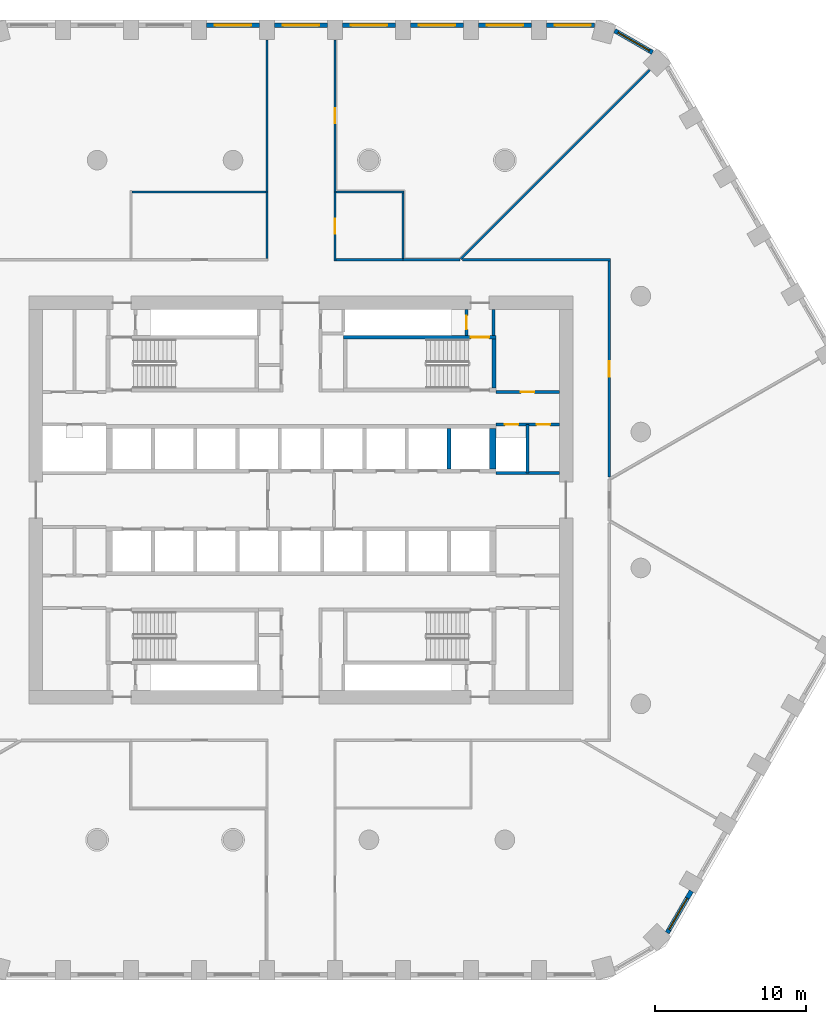
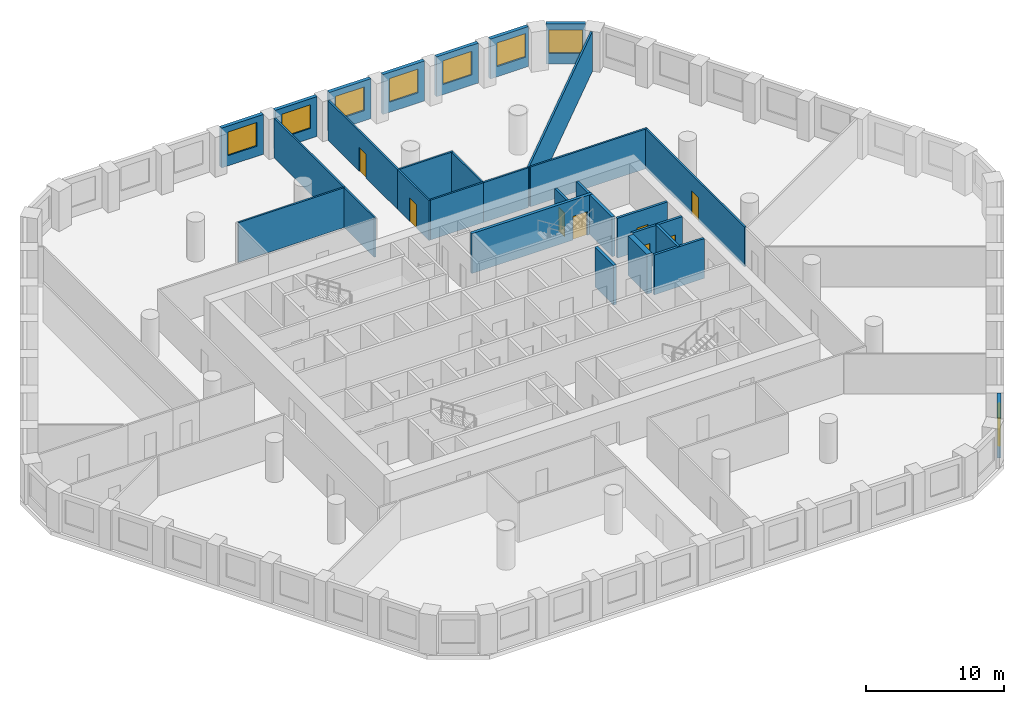
# One storey, part 7 of 14: 30 walls, 8 doors, 8 windows, 16 openings.
"""IFC4 building model written with IfcOpenShell, lengths in metres."""

from ifc_helpers import new_model, si_unit, direction, frame, frame_2d, origin, place, context, subcontext, project, spatial, polyline, rectangle, outline, extrude, material, layer, layer_set, type_object, element, fill, save


model = new_model("IFC4")

# Units and contexts
model_context = context("Model", 3, precision=1e-05, world=origin(), true_north=direction((0.0, 1.0)))
body_context = subcontext(model_context, "Body", "Model", "MODEL_VIEW")
ifc_project = project(units=[si_unit("LENGTHUNIT", "METRE"), si_unit("AREAUNIT", "SQUARE_METRE"), si_unit("VOLUMEUNIT", "CUBIC_METRE"), si_unit("PLANEANGLEUNIT", "RADIAN"), si_unit("MASSUNIT", "GRAM", prefix="KILO")], contexts=[model_context])

# Site, building, storey
site_placement = place(None, origin())
site = spatial("IfcSite", under=ifc_project, at=site_placement, CompositionType="ELEMENT")
building_placement = place(site_placement, origin())
building = spatial("IfcBuilding", under=site, at=building_placement, Name="Dhurran Vertical Campus", CompositionType="ELEMENT")
storey_placement = place(building_placement, frame((0.0, 0.0, 100.800048828125)))
storey = spatial("IfcBuildingStorey", under=building, at=storey_placement, Name="L24", CompositionType="ELEMENT", Elevation=100.800048828125)

# Wall, opening, window
ifc_material_1 = material(Name="Precast concrete C50/60", Category="concrete")
ifc_layer_1 = layer(ifc_material_1, 0.300048828125)
ifc_layer_set_1 = layer_set([ifc_layer_1], Name="Precast concrete C50/60")
wall_type_1 = type_object("IfcWallType", Name="Precast spandrel wall 300", PredefinedType="SOLIDWALL", material=ifc_layer_set_1)
wall_1_placement = place(storey_placement, frame((24.24755859375, -28.65576171875, 0.0), z_axis=(0.0, 0.0, 1.0), x_axis=(0.500004907028, 0.866022570692, 0.0)))
wall_1 = element("IfcWall", 1, at=wall_1_placement, inside=storey, type_object=wall_type_1, Name="EW1 L24.10", PredefinedType="SOLIDWALL", context=body_context, shape_type="SweptSolid", body=[
    extrude(rectangle(XDim=3.1923828125, YDim=0.300048828125, at=frame_2d((1.59619140625, 0.0))), origin(), (0.0, 0.0, 1.0), 3.52490234375),
])
opening_1_placement = place(wall_1_placement, frame((0.242919921875, 0.0, 0.89990234375)))
opening_1 = element("IfcOpeningElement", 2, at=opening_1_placement, cuts=wall_1, Name="Opening WT1", PredefinedType="OPENING", context=body_context, shape_type="SweptSolid", body=[
    extrude(rectangle(XDim=2.39990234375, YDim=2.10009765625, at=frame_2d((1.199951171875, 1.050048828125))), frame((0.0, 0.159912109375, 0.0), z_axis=(0.0, -1.0, 0.0), x_axis=(1.0, 0.0, 0.0)), (0.0, 0.0, 1.0), 0.320068359375),
])
ifc_material_2 = material(Name="Aluminium frame with solar-control glass", Category="aluminium")
window_type = type_object("IfcWindowType", Name="Punched window 2400 x 2100", PartitioningType="SINGLE_PANEL", PredefinedType="WINDOW", material=ifc_material_2)
window_1_placement = place(opening_1_placement, origin())
window_1 = element("IfcWindow", 3, at=window_1_placement, inside=storey, type_object=window_type, Name="WT1 L24.10", OverallHeight=2.10009765625, OverallWidth=2.39990234375, PartitioningType="SINGLE_PANEL", PredefinedType="WINDOW", context=body_context, shape_type="SweptSolid", body=[
    extrude(rectangle(XDim=2.39990234375, YDim=2.10009765625, at=frame_2d((1.199951171875, 1.050048828125))), frame((0.0, 0.030029296875, 0.0), z_axis=(0.0, -1.0, 0.0), x_axis=(1.0, 0.0, 0.0)), (0.0, 0.0, 1.0), 0.06005859375),
])
fill(opening_1, window_1)

wall_2_placement = place(storey_placement, frame((23.273193359375, 29.63037109375, 0.0), z_axis=(0.0, 0.0, 1.0), x_axis=(-0.866053149362, 0.49995194017, 0.0)))
wall_2 = element("IfcWall", 4, at=wall_2_placement, inside=storey, type_object=wall_type_1, Name="EW1 L24.25", PredefinedType="SOLIDWALL", context=body_context, shape_type="SweptSolid", body=[
    extrude(rectangle(XDim=2.885498046875, YDim=0.300048828125, at=frame_2d((1.44287109375, 0.0))), origin(), (0.0, 0.0, 1.0), 3.52490234375),
])
opening_2_placement = place(wall_2_placement, frame((0.242919921875, 0.0, 0.89990234375)))
opening_2 = element("IfcOpeningElement", 5, at=opening_2_placement, cuts=wall_2, Name="Opening WT1", PredefinedType="OPENING", context=body_context, shape_type="SweptSolid", body=[
    extrude(rectangle(XDim=2.39990234375, YDim=2.10009765625, at=frame_2d((1.199951171875, 1.050048828125))), frame((0.0, 0.159912109375, 0.0), z_axis=(0.0, -1.0, 0.0), x_axis=(1.0, 0.0, 0.0)), (0.0, 0.0, 1.0), 0.320068359375),
])
window_2_placement = place(opening_2_placement, origin())
window_2 = element("IfcWindow", 6, at=window_2_placement, inside=storey, type_object=window_type, Name="WT1 L24.25", OverallHeight=2.10009765625, OverallWidth=2.39990234375, PartitioningType="SINGLE_PANEL", PredefinedType="WINDOW", context=body_context, shape_type="SweptSolid", body=[
    extrude(rectangle(XDim=2.39990234375, YDim=2.10009765625, at=frame_2d((1.199951171875, 1.050048828125))), frame((0.0, 0.030029296875, 0.0), z_axis=(0.0, -1.0, 0.0), x_axis=(1.0, 0.0, 0.0)), (0.0, 0.0, 1.0), 0.06005859375),
])
fill(opening_2, window_2)

wall_3_placement = place(storey_placement, frame((19.44287109375, 31.4296875, 0.0), z_axis=(0.0, 0.0, 1.0), x_axis=(-1.0, 0.0, 0.0)))
wall_3 = element("IfcWall", 7, at=wall_3_placement, inside=storey, type_object=wall_type_1, Name="EW1 L24.26", PredefinedType="SOLIDWALL", context=body_context, shape_type="SweptSolid", body=[
    extrude(rectangle(XDim=3.1923828125, YDim=0.300048828125, at=frame_2d((1.59619140625, 0.0))), origin(), (0.0, 0.0, 1.0), 3.52490234375),
])
opening_3_placement = place(wall_3_placement, frame((0.242919921875, 0.0, 0.89990234375)))
opening_3 = element("IfcOpeningElement", 8, at=opening_3_placement, cuts=wall_3, Name="Opening WT1", PredefinedType="OPENING", context=body_context, shape_type="SweptSolid", body=[
    extrude(rectangle(XDim=2.39990234375, YDim=2.10009765625, at=frame_2d((1.199951171875, 1.050048828125))), frame((0.0, 0.159912109375, 0.0), z_axis=(0.0, -1.0, 0.0), x_axis=(1.0, 0.0, 0.0)), (0.0, 0.0, 1.0), 0.320068359375),
])
window_3_placement = place(opening_3_placement, origin())
window_3 = element("IfcWindow", 9, at=window_3_placement, inside=storey, type_object=window_type, Name="WT1 L24.26", OverallHeight=2.10009765625, OverallWidth=2.39990234375, PartitioningType="SINGLE_PANEL", PredefinedType="WINDOW", context=body_context, shape_type="SweptSolid", body=[
    extrude(rectangle(XDim=2.39990234375, YDim=2.10009765625, at=frame_2d((1.199951171875, 1.050048828125))), frame((0.0, 0.030029296875, 0.0), z_axis=(0.0, -1.0, 0.0), x_axis=(1.0, 0.0, 0.0)), (0.0, 0.0, 1.0), 0.06005859375),
])
fill(opening_3, window_3)

wall_4_placement = place(storey_placement, frame((15.24951171875, 31.4296875, 0.0), z_axis=(0.0, 0.0, 1.0), x_axis=(-1.0, 0.0, 0.0)))
wall_4 = element("IfcWall", 10, at=wall_4_placement, inside=storey, type_object=wall_type_1, Name="EW1 L24.27", PredefinedType="SOLIDWALL", context=body_context, shape_type="SweptSolid", body=[
    extrude(rectangle(XDim=3.4990234375, YDim=0.300048828125, at=frame_2d((1.74951171875, 0.0))), origin(), (0.0, 0.0, 1.0), 3.52490234375),
])
opening_4_placement = place(wall_4_placement, frame((0.549560546875, 0.0, 0.89990234375)))
opening_4 = element("IfcOpeningElement", 11, at=opening_4_placement, cuts=wall_4, Name="Opening WT1", PredefinedType="OPENING", context=body_context, shape_type="SweptSolid", body=[
    extrude(rectangle(XDim=2.39990234375, YDim=2.10009765625, at=frame_2d((1.199951171875, 1.050048828125))), frame((0.0, 0.159912109375, 0.0), z_axis=(0.0, -1.0, 0.0), x_axis=(1.0, 0.0, 0.0)), (0.0, 0.0, 1.0), 0.320068359375),
])
window_4_placement = place(opening_4_placement, origin())
window_4 = element("IfcWindow", 12, at=window_4_placement, inside=storey, type_object=window_type, Name="WT1 L24.27", OverallHeight=2.10009765625, OverallWidth=2.39990234375, PartitioningType="SINGLE_PANEL", PredefinedType="WINDOW", context=body_context, shape_type="SweptSolid", body=[
    extrude(rectangle(XDim=2.39990234375, YDim=2.10009765625, at=frame_2d((1.199951171875, 1.050048828125))), frame((0.0, 0.030029296875, 0.0), z_axis=(0.0, -1.0, 0.0), x_axis=(1.0, 0.0, 0.0)), (0.0, 0.0, 1.0), 0.06005859375),
])
fill(opening_4, window_4)

wall_5_placement = place(storey_placement, frame((10.74951171875, 31.4296875, 0.0), z_axis=(0.0, 0.0, 1.0), x_axis=(-1.0, 0.0, 0.0)))
wall_5 = element("IfcWall", 13, at=wall_5_placement, inside=storey, type_object=wall_type_1, Name="EW1 L24.28", PredefinedType="SOLIDWALL", context=body_context, shape_type="SweptSolid", body=[
    extrude(rectangle(XDim=3.4990234375, YDim=0.300048828125, at=frame_2d((1.74951171875, 0.0))), origin(), (0.0, 0.0, 1.0), 3.52490234375),
])
opening_5_placement = place(wall_5_placement, frame((0.549560546875, 0.0, 0.89990234375)))
opening_5 = element("IfcOpeningElement", 14, at=opening_5_placement, cuts=wall_5, Name="Opening WT1", PredefinedType="OPENING", context=body_context, shape_type="SweptSolid", body=[
    extrude(rectangle(XDim=2.39990234375, YDim=2.10009765625, at=frame_2d((1.199951171875, 1.050048828125))), frame((0.0, 0.159912109375, 0.0), z_axis=(0.0, -1.0, 0.0), x_axis=(1.0, 0.0, 0.0)), (0.0, 0.0, 1.0), 0.320068359375),
])
window_5_placement = place(opening_5_placement, origin())
window_5 = element("IfcWindow", 15, at=window_5_placement, inside=storey, type_object=window_type, Name="WT1 L24.28", OverallHeight=2.10009765625, OverallWidth=2.39990234375, PartitioningType="SINGLE_PANEL", PredefinedType="WINDOW", context=body_context, shape_type="SweptSolid", body=[
    extrude(rectangle(XDim=2.39990234375, YDim=2.10009765625, at=frame_2d((1.199951171875, 1.050048828125))), frame((0.0, 0.030029296875, 0.0), z_axis=(0.0, -1.0, 0.0), x_axis=(1.0, 0.0, 0.0)), (0.0, 0.0, 1.0), 0.06005859375),
])
fill(opening_5, window_5)

wall_6_placement = place(storey_placement, frame((6.24951171875, 31.4296875, 0.0), z_axis=(0.0, 0.0, 1.0), x_axis=(-1.0, 0.0, 0.0)))
wall_6 = element("IfcWall", 16, at=wall_6_placement, inside=storey, type_object=wall_type_1, Name="EW1 L24.29", PredefinedType="SOLIDWALL", context=body_context, shape_type="SweptSolid", body=[
    extrude(rectangle(XDim=3.4990234375, YDim=0.300048828125, at=frame_2d((1.74951171875, 0.0))), origin(), (0.0, 0.0, 1.0), 3.52490234375),
])
opening_6_placement = place(wall_6_placement, frame((0.549560546875, 0.0, 0.89990234375)))
opening_6 = element("IfcOpeningElement", 17, at=opening_6_placement, cuts=wall_6, Name="Opening WT1", PredefinedType="OPENING", context=body_context, shape_type="SweptSolid", body=[
    extrude(rectangle(XDim=2.39990234375, YDim=2.10009765625, at=frame_2d((1.199951171875, 1.050048828125))), frame((0.0, 0.159912109375, 0.0), z_axis=(0.0, -1.0, 0.0), x_axis=(1.0, 0.0, 0.0)), (0.0, 0.0, 1.0), 0.320068359375),
])
window_6_placement = place(opening_6_placement, origin())
window_6 = element("IfcWindow", 18, at=window_6_placement, inside=storey, type_object=window_type, Name="WT1 L24.29", OverallHeight=2.10009765625, OverallWidth=2.39990234375, PartitioningType="SINGLE_PANEL", PredefinedType="WINDOW", context=body_context, shape_type="SweptSolid", body=[
    extrude(rectangle(XDim=2.39990234375, YDim=2.10009765625, at=frame_2d((1.199951171875, 1.050048828125))), frame((0.0, 0.030029296875, 0.0), z_axis=(0.0, -1.0, 0.0), x_axis=(1.0, 0.0, 0.0)), (0.0, 0.0, 1.0), 0.06005859375),
])
fill(opening_6, window_6)

wall_7_placement = place(storey_placement, frame((1.74951171875, 31.4296875, 0.0), z_axis=(0.0, 0.0, 1.0), x_axis=(-1.0, 0.0, 0.0)))
wall_7 = element("IfcWall", 19, at=wall_7_placement, inside=storey, type_object=wall_type_1, Name="EW1 L24.30", PredefinedType="SOLIDWALL", context=body_context, shape_type="SweptSolid", body=[
    extrude(rectangle(XDim=3.4990234375, YDim=0.300048828125, at=frame_2d((1.74951171875, 0.0))), origin(), (0.0, 0.0, 1.0), 3.52490234375),
])
opening_7_placement = place(wall_7_placement, frame((0.549560546875, 0.0, 0.89990234375)))
opening_7 = element("IfcOpeningElement", 20, at=opening_7_placement, cuts=wall_7, Name="Opening WT1", PredefinedType="OPENING", context=body_context, shape_type="SweptSolid", body=[
    extrude(rectangle(XDim=2.39990234375, YDim=2.10009765625, at=frame_2d((1.199951171875, 1.050048828125))), frame((0.0, 0.159912109375, 0.0), z_axis=(0.0, -1.0, 0.0), x_axis=(1.0, 0.0, 0.0)), (0.0, 0.0, 1.0), 0.320068359375),
])
window_7_placement = place(opening_7_placement, origin())
window_7 = element("IfcWindow", 21, at=window_7_placement, inside=storey, type_object=window_type, Name="WT1 L24.30", OverallHeight=2.10009765625, OverallWidth=2.39990234375, PartitioningType="SINGLE_PANEL", PredefinedType="WINDOW", context=body_context, shape_type="SweptSolid", body=[
    extrude(rectangle(XDim=2.39990234375, YDim=2.10009765625, at=frame_2d((1.199951171875, 1.050048828125))), frame((0.0, 0.030029296875, 0.0), z_axis=(0.0, -1.0, 0.0), x_axis=(1.0, 0.0, 0.0)), (0.0, 0.0, 1.0), 0.06005859375),
])
fill(opening_7, window_7)

wall_8_placement = place(storey_placement, frame((-2.75048828125, 31.4296875, 0.0), z_axis=(0.0, 0.0, 1.0), x_axis=(-1.0, 0.0, 0.0)))
wall_8 = element("IfcWall", 22, at=wall_8_placement, inside=storey, type_object=wall_type_1, Name="EW1 L24.31", PredefinedType="SOLIDWALL", context=body_context, shape_type="SweptSolid", body=[
    extrude(rectangle(XDim=3.4990234375, YDim=0.300048828125, at=frame_2d((1.74951171875, 0.0))), origin(), (0.0, 0.0, 1.0), 3.52490234375),
])
opening_8_placement = place(wall_8_placement, frame((0.549560546875, 0.0, 0.89990234375)))
opening_8 = element("IfcOpeningElement", 23, at=opening_8_placement, cuts=wall_8, Name="Opening WT1", PredefinedType="OPENING", context=body_context, shape_type="SweptSolid", body=[
    extrude(rectangle(XDim=2.39990234375, YDim=2.10009765625, at=frame_2d((1.199951171875, 1.050048828125))), frame((0.0, 0.159912109375, 0.0), z_axis=(0.0, -1.0, 0.0), x_axis=(1.0, 0.0, 0.0)), (0.0, 0.0, 1.0), 0.320068359375),
])
window_8_placement = place(opening_8_placement, origin())
window_8 = element("IfcWindow", 24, at=window_8_placement, inside=storey, type_object=window_type, Name="WT1 L24.31", OverallHeight=2.10009765625, OverallWidth=2.39990234375, PartitioningType="SINGLE_PANEL", PredefinedType="WINDOW", context=body_context, shape_type="SweptSolid", body=[
    extrude(rectangle(XDim=2.39990234375, YDim=2.10009765625, at=frame_2d((1.199951171875, 1.050048828125))), frame((0.0, 0.030029296875, 0.0), z_axis=(0.0, -1.0, 0.0), x_axis=(1.0, 0.0, 0.0)), (0.0, 0.0, 1.0), 0.06005859375),
])
fill(opening_8, window_8)

# Wall
ifc_material_3 = material(Name="Fire-rated masonry blockwork", Category="masonry")
ifc_layer_2 = layer(ifc_material_3, 0.199951171875)
ifc_layer_set_2 = layer_set([ifc_layer_2], Name="Fire-rated masonry blockwork")
wall_type_2 = type_object("IfcWallType", Name="co-FIRE-PARTITION-200", PredefinedType="PARTITIONING", material=ifc_layer_set_2)
wall_9_placement = place(storey_placement, frame((12.75, 10.89990234375, 0.0), z_axis=(0.0, 0.0, 1.0), x_axis=(0.0, 1.0, 0.0)))
element("IfcWall", 25, at=wall_9_placement, inside=storey, type_object=wall_type_2, Name="Core partition pass-ST2-o L24", PredefinedType="PARTITIONING", context=body_context, shape_type="SweptSolid", body=[
    extrude(rectangle(XDim=1.7001953125, YDim=0.199951171875, at=frame_2d((0.85009765625, 0.0))), origin(), (0.0, 0.0, 1.0), 3.52490234375),
])

# Wall, opening, door
wall_10_placement = place(storey_placement, frame((10.949951171875, 10.89990234375, 0.0), z_axis=(0.0, 0.0, 1.0), x_axis=(0.0, 1.0, 0.0)))
wall_10 = element("IfcWall", 26, at=wall_10_placement, inside=storey, type_object=wall_type_2, Name="Core partition pass-ST2-i L24", PredefinedType="PARTITIONING", context=body_context, shape_type="SweptSolid", body=[
    extrude(rectangle(XDim=1.7001953125, YDim=0.199951171875, at=frame_2d((0.85009765625, 0.0))), origin(), (0.0, 0.0, 1.0), 3.52490234375),
])
opening_9_placement = place(wall_10_placement, frame((0.39990234375, 0.0, 0.0)))
opening_9 = element("IfcOpeningElement", 27, at=opening_9_placement, cuts=wall_10, Name="Opening T06-C9", PredefinedType="OPENING", context=body_context, shape_type="SweptSolid", body=[
    extrude(rectangle(XDim=0.89990234375, YDim=2.10009765625, at=frame_2d((0.449951171875, 1.050048828125))), frame((0.0, 0.10986328125, 0.0), z_axis=(0.0, -1.0, 0.0), x_axis=(1.0, 0.0, 0.0)), (0.0, 0.0, 1.0), 0.219970703125),
])
ifc_material_4 = material(Name="Fire-rated timber door set", Category="wood")
door_type_1 = type_object("IfcDoorType", Name="co-D-ROOM 900x2100", OperationType="SINGLE_SWING_LEFT", PredefinedType="DOOR", material=ifc_material_4)
door_1_placement = place(opening_9_placement, origin())
door_1 = element("IfcDoor", 28, at=door_1_placement, inside=storey, type_object=door_type_1, Name="Riser room door L24", OperationType="SINGLE_SWING_LEFT", OverallHeight=2.10009765625, OverallWidth=0.89990234375, PredefinedType="DOOR", context=body_context, shape_type="SweptSolid", body=[
    extrude(rectangle(XDim=0.89990234375, YDim=2.10009765625, at=frame_2d((0.449951171875, 1.050048828125))), frame((0.0, 0.02490234375, 0.0), z_axis=(0.0, -1.0, 0.0), x_axis=(1.0, 0.0, 0.0)), (0.0, 0.0, 1.0), 0.050048828125),
])
fill(opening_9, door_1)

wall_11_placement = place(storey_placement, frame((12.89990234375, 7.14990234375, 0.0), z_axis=(0.0, 0.0, 1.0), x_axis=(1.0, 0.0, 0.0)))
wall_11 = element("IfcWall", 29, at=wall_11_placement, inside=storey, type_object=wall_type_2, Name="Core partition en-NE-w L24", PredefinedType="PARTITIONING", context=body_context, shape_type="SweptSolid", body=[
    extrude(rectangle(XDim=4.2001953125, YDim=0.199951171875, at=frame_2d((2.10009765625, 0.0))), origin(), (0.0, 0.0, 1.0), 3.52490234375),
])
opening_10_placement = place(wall_11_placement, frame((1.64990234375, 0.0, 0.0)))
opening_10 = element("IfcOpeningElement", 30, at=opening_10_placement, cuts=wall_11, Name="Opening T06-C15", PredefinedType="OPENING", context=body_context, shape_type="SweptSolid", body=[
    extrude(rectangle(XDim=0.89990234375, YDim=2.10009765625, at=frame_2d((0.449951171875, 1.050048828125))), frame((0.0, 0.10986328125, 0.0), z_axis=(0.0, -1.0, 0.0), x_axis=(1.0, 0.0, 0.0)), (0.0, 0.0, 1.0), 0.219970703125),
])
door_2_placement = place(opening_10_placement, origin())
door_2 = element("IfcDoor", 31, at=door_2_placement, inside=storey, type_object=door_type_1, Name="Server room door L24", OperationType="SINGLE_SWING_LEFT", OverallHeight=2.10009765625, OverallWidth=0.89990234375, PredefinedType="DOOR", context=body_context, shape_type="SweptSolid", body=[
    extrude(rectangle(XDim=0.89990234375, YDim=2.10009765625, at=frame_2d((0.449951171875, 1.050048828125))), frame((0.0, 0.02490234375, 0.0), z_axis=(0.0, -1.0, 0.0), x_axis=(1.0, 0.0, 0.0)), (0.0, 0.0, 1.0), 0.050048828125),
])
fill(opening_10, door_2)

# Wall
wall_12_placement = place(storey_placement, frame((15.0, 1.800048828125, 0.0), z_axis=(0.0, 0.0, 1.0), x_axis=(0.0, 1.0, 0.0)))
element("IfcWall", 32, at=wall_12_placement, inside=storey, type_object=wall_type_2, Name="Core partition es-NE-cut0 L24", PredefinedType="PARTITIONING", context=body_context, shape_type="SweptSolid", body=[
    extrude(rectangle(XDim=3.199951171875, YDim=0.199951171875, at=frame_2d((1.60009765625, 0.0))), origin(), (0.0, 0.0, 1.0), 3.52490234375),
])

# Wall, openings, doors
wall_13_placement = place(storey_placement, frame((12.89990234375, 5.0, 0.0), z_axis=(0.0, 0.0, 1.0), x_axis=(1.0, 0.0, 0.0)))
wall_13 = element("IfcWall", 33, at=wall_13_placement, inside=storey, type_object=wall_type_2, Name="Core partition es-NE-w L24", PredefinedType="PARTITIONING", context=body_context, shape_type="SweptSolid", body=[
    extrude(rectangle(XDim=4.2001953125, YDim=0.199951171875, at=frame_2d((2.10009765625, 0.0))), origin(), (0.0, 0.0, 1.0), 3.52490234375),
])
opening_11_placement = place(wall_13_placement, frame((0.60009765625, 0.0, 0.0)))
opening_11 = element("IfcOpeningElement", 34, at=opening_11_placement, cuts=wall_13, Name="Opening T06-C16", PredefinedType="OPENING", context=body_context, shape_type="SweptSolid", body=[
    extrude(rectangle(XDim=0.89990234375, YDim=2.10009765625, at=frame_2d((0.449951171875, 1.050048828125))), frame((0.0, 0.10986328125, 0.0), z_axis=(0.0, -1.0, 0.0), x_axis=(1.0, 0.0, 0.0)), (0.0, 0.0, 1.0), 0.219970703125),
])
opening_12_placement = place(wall_13_placement, frame((2.699951171875, 0.0, 0.0)))
opening_12 = element("IfcOpeningElement", 35, at=opening_12_placement, cuts=wall_13, Name="Opening T06-C17", PredefinedType="OPENING", context=body_context, shape_type="SweptSolid", body=[
    extrude(rectangle(XDim=0.89990234375, YDim=2.10009765625, at=frame_2d((0.449951171875, 1.050048828125))), frame((0.0, 0.10986328125, 0.0), z_axis=(0.0, -1.0, 0.0), x_axis=(1.0, 0.0, 0.0)), (0.0, 0.0, 1.0), 0.219970703125),
])
door_3_placement = place(opening_11_placement, origin())
door_3 = element("IfcDoor", 36, at=door_3_placement, inside=storey, type_object=door_type_1, Name="Electrical riser door L24", OperationType="SINGLE_SWING_LEFT", OverallHeight=2.10009765625, OverallWidth=0.89990234375, PredefinedType="DOOR", context=body_context, shape_type="SweptSolid", body=[
    extrude(rectangle(XDim=0.89990234375, YDim=2.10009765625, at=frame_2d((0.449951171875, 1.050048828125))), frame((0.0, 0.02490234375, 0.0), z_axis=(0.0, -1.0, 0.0), x_axis=(1.0, 0.0, 0.0)), (0.0, 0.0, 1.0), 0.050048828125),
])
fill(opening_11, door_3)
door_4_placement = place(opening_12_placement, origin())
door_4 = element("IfcDoor", 37, at=door_4_placement, inside=storey, type_object=door_type_1, Name="Waste room door L24", OperationType="SINGLE_SWING_LEFT", OverallHeight=2.10009765625, OverallWidth=0.89990234375, PredefinedType="DOOR", context=body_context, shape_type="SweptSolid", body=[
    extrude(rectangle(XDim=0.89990234375, YDim=2.10009765625, at=frame_2d((0.449951171875, 1.050048828125))), frame((0.0, 0.02490234375, 0.0), z_axis=(0.0, -1.0, 0.0), x_axis=(1.0, 0.0, 0.0)), (0.0, 0.0, 1.0), 0.050048828125),
])
fill(opening_12, door_4)

# Walls
wall_14_placement = place(storey_placement, frame((12.89990234375, 1.800048828125, 0.0), z_axis=(0.0, 0.0, 1.0), x_axis=(1.0, 0.0, 0.0)))
element("IfcWall", 38, at=wall_14_placement, inside=storey, type_object=wall_type_2, Name="Core partition es-NE-l L24", PredefinedType="PARTITIONING", context=body_context, shape_type="SweptSolid", body=[
    extrude(rectangle(XDim=4.2001953125, YDim=0.199951171875, at=frame_2d((2.10009765625, 0.0))), origin(), (0.0, 0.0, 1.0), 3.52490234375),
])
ifc_material_5 = material(Name="Concrete C50/60", Category="concrete")
ifc_layer_3 = layer(ifc_material_5, 0.25)
ifc_layer_set_3 = layer_set([ifc_layer_3], Name="Concrete C50/60")
wall_type_3 = type_object("IfcWallType", Name="co-SHAFT-MASS-250", PredefinedType="SHEAR", material=ifc_layer_set_3)
wall_15_placement = place(storey_placement, origin())
element("IfcWall", 39, at=wall_15_placement, inside=storey, type_object=wall_type_3, Name="Lift shaft wall N L24 10", PredefinedType="SHEAR", context=body_context, shape_type="SweptSolid", body=[
    extrude(outline(polyline([(9.675048828125, 2.050048828125), (9.925048828125, 2.050048828125), (9.925048828125, 4.75), (9.675048828125, 4.75), (9.675048828125, 2.050048828125)])), origin(), (0.0, 0.0, 1.0), 3.52490234375),
])
wall_16_placement = place(storey_placement, origin())
element("IfcWall", 40, at=wall_16_placement, inside=storey, type_object=wall_type_3, Name="Lift shaft wall N L24 11", PredefinedType="SHEAR", context=body_context, shape_type="SweptSolid", body=[
    extrude(outline(polyline([(12.47509765625, 2.050048828125), (12.89990234375, 2.050048828125), (12.89990234375, 4.75), (12.47509765625, 4.75), (12.47509765625, 2.050048828125)])), origin(), (0.0, 0.0, 1.0), 3.52490234375),
])

# Wall, opening, door
ifc_material_6 = material(Name="Concrete C40/50", Category="concrete")
ifc_layer_4 = layer(ifc_material_6, 0.25)
ifc_layer_set_4 = layer_set([ifc_layer_4], Name="Concrete C40/50")
wall_type_4 = type_object("IfcWallType", Name="co-STAIR-WALL-250", PredefinedType="SHEAR", material=ifc_layer_set_4)
wall_17_placement = place(storey_placement, frame((2.800048828125, 10.77490234375, 0.0), z_axis=(0.0, 0.0, 1.0), x_axis=(1.0, 0.0, 0.0)))
wall_17 = element("IfcWall", 41, at=wall_17_placement, inside=storey, type_object=wall_type_4, Name="Stair ST2 enclosure wall L24", PredefinedType="SHEAR", context=body_context, shape_type="SweptSolid", body=[
    extrude(rectangle(XDim=10.099853515625, YDim=0.25, at=frame_2d((5.0498046875, 0.0))), origin(), (0.0, 0.0, 1.0), 3.52490234375),
])
opening_13_placement = place(wall_17_placement, frame((8.449951171875, 0.0, 0.0)))
opening_13 = element("IfcOpeningElement", 42, at=opening_13_placement, cuts=wall_17, Name="Opening XS2", PredefinedType="OPENING", context=body_context, shape_type="SweptSolid", body=[
    extrude(rectangle(XDim=1.199951171875, YDim=2.10009765625, at=frame_2d((0.60009765625, 1.050048828125))), frame((0.0, 0.135009765625, 0.0), z_axis=(0.0, -1.0, 0.0), x_axis=(1.0, 0.0, 0.0)), (0.0, 0.0, 1.0), 0.27001953125),
])
ifc_material_7 = material(Name="Fire-rated steel door set", Category="steel")
door_type_2 = type_object("IfcDoorType", Name="co-D-STAIR-EXIT 1200x2100", OperationType="SINGLE_SWING_RIGHT", PredefinedType="DOOR", material=ifc_material_7)
door_5_placement = place(opening_13_placement, origin())
door_5 = element("IfcDoor", 43, at=door_5_placement, inside=storey, type_object=door_type_2, Name="Stair ST2 discharge door L24", OperationType="SINGLE_SWING_RIGHT", OverallHeight=2.10009765625, OverallWidth=1.199951171875, PredefinedType="DOOR", context=body_context, shape_type="SweptSolid", body=[
    extrude(rectangle(XDim=1.199951171875, YDim=2.10009765625, at=frame_2d((0.60009765625, 1.050048828125))), frame((0.0, 0.02490234375, 0.0), z_axis=(0.0, -1.0, 0.0), x_axis=(1.0, 0.0, 0.0)), (0.0, 0.0, 1.0), 0.050048828125),
])
fill(opening_13, door_5)

# Walls
wall_18_placement = place(storey_placement, frame((12.77490234375, 7.39990234375, 0.0), z_axis=(0.0, 0.0, 1.0), x_axis=(0.0, 1.0, 0.0)))
element("IfcWall", 44, at=wall_18_placement, inside=storey, type_object=wall_type_4, Name="Stair ST2 enclosure wall L24", PredefinedType="SHEAR", context=body_context, shape_type="SweptSolid", body=[
    extrude(rectangle(XDim=3.25, YDim=0.25, at=frame_2d((1.625, 0.0))), origin(), (0.0, 0.0, 1.0), 3.52490234375),
])
ifc_material_8 = material(Name="Gypsum board corridor wall on steel studs", Category="steel")
ifc_layer_5 = layer(ifc_material_8, 0.14990234375)
ifc_layer_set_5 = layer_set([ifc_layer_5], Name="Gypsum board corridor wall on steel studs")
wall_type_5 = type_object("IfcWallType", Name="fl-CW-150 corridor wall", PredefinedType="PARTITIONING", material=ifc_layer_set_5)
wall_19_placement = place(storey_placement, frame((-2.25, 15.97509765625, 0.0), z_axis=(0.0, 0.0, 1.0), x_axis=(0.0, 1.0, 0.0)))
element("IfcWall", 45, at=wall_19_placement, inside=storey, type_object=wall_type_5, Name="Partition 24-26", PredefinedType="PARTITIONING", context=body_context, shape_type="SweptSolid", body=[
    extrude(rectangle(XDim=4.4248046875, YDim=0.14990234375, at=frame_2d((2.21240234375, 0.0))), origin(), (0.0, 0.0, 1.0), 3.52490234375),
])
wall_20_placement = place(storey_placement, frame((-2.25, 20.39990234375, 0.0), z_axis=(0.0, 0.0, 1.0), x_axis=(0.0, 1.0, 0.0)))
element("IfcWall", 46, at=wall_20_placement, inside=storey, type_object=wall_type_5, Name="Partition 24-27", PredefinedType="PARTITIONING", context=body_context, shape_type="SweptSolid", body=[
    extrude(rectangle(XDim=10.059814453125, YDim=0.14990234375, at=frame_2d((5.02978515625, 0.0))), origin(), (0.0, 0.0, 1.0), 3.52490234375),
])

# Wall, opening, door
wall_21_placement = place(storey_placement, frame((2.25, 20.39990234375, 0.0), z_axis=(0.0, 0.0, 1.0), x_axis=(0.0, -1.0, 0.0)))
wall_21 = element("IfcWall", 47, at=wall_21_placement, inside=storey, type_object=wall_type_5, Name="Partition 24-32", PredefinedType="PARTITIONING", context=body_context, shape_type="SweptSolid", body=[
    extrude(rectangle(XDim=4.574951171875, YDim=0.14990234375, at=frame_2d((2.28759765625, 0.0))), origin(), (0.0, 0.0, 1.0), 3.52490234375),
])
opening_14_placement = place(wall_21_placement, frame((1.78759765625, 0.0, 0.0)))
opening_14 = element("IfcOpeningElement", 48, at=opening_14_placement, cuts=wall_21, Name="Opening T06.10", PredefinedType="OPENING", context=body_context, shape_type="SweptSolid", body=[
    extrude(rectangle(XDim=1.0, YDim=2.10009765625, at=frame_2d((0.5, 1.050048828125))), frame((0.0, 0.0849609375, 0.0), z_axis=(0.0, -1.0, 0.0), x_axis=(1.0, 0.0, 0.0)), (0.0, 0.0, 1.0), 0.169921875),
])
ifc_material_9 = material(Name="Solid-core timber door set, fire-rated", Category="wood")
door_type_3 = type_object("IfcDoorType", Name="fl-D-1000x2100", OperationType="SINGLE_SWING_LEFT", PredefinedType="DOOR", material=ifc_material_9)
door_6_placement = place(opening_14_placement, origin())
door_6 = element("IfcDoor", 49, at=door_6_placement, inside=storey, type_object=door_type_3, Name="Door 24.10", OperationType="SINGLE_SWING_LEFT", OverallHeight=2.10009765625, OverallWidth=1.0, PredefinedType="DOOR", context=body_context, shape_type="SweptSolid", body=[
    extrude(rectangle(XDim=1.0, YDim=2.10009765625, at=frame_2d((0.5, 1.050048828125))), frame((0.0, 0.02490234375, 0.0), z_axis=(0.0, -1.0, 0.0), x_axis=(1.0, 0.0, 0.0)), (0.0, 0.0, 1.0), 0.050048828125),
])
fill(opening_14, door_6)

# Wall
wall_22_placement = place(storey_placement, frame((6.75, 15.89990234375, 0.0), z_axis=(0.0, 0.0, 1.0), x_axis=(-1.0, 0.0, 0.0)))
element("IfcWall", 50, at=wall_22_placement, inside=storey, type_object=wall_type_5, Name="Partition 24-33", PredefinedType="PARTITIONING", context=body_context, shape_type="SweptSolid", body=[
    extrude(rectangle(XDim=4.425048828125, YDim=0.14990234375, at=frame_2d((2.21240234375, 0.0))), origin(), (0.0, 0.0, 1.0), 3.52490234375),
])

# Wall, opening, door
wall_23_placement = place(storey_placement, frame((2.25, 30.459716796875, 0.0), z_axis=(0.0, 0.0, 1.0), x_axis=(0.0, -1.0, 0.0)))
wall_23 = element("IfcWall", 51, at=wall_23_placement, inside=storey, type_object=wall_type_5, Name="Partition 24-34", PredefinedType="PARTITIONING", context=body_context, shape_type="SweptSolid", body=[
    extrude(rectangle(XDim=10.059814453125, YDim=0.14990234375, at=frame_2d((5.02978515625, 0.0))), origin(), (0.0, 0.0, 1.0), 3.52490234375),
])
opening_15_placement = place(wall_23_placement, frame((4.52978515625, 0.0, 0.0)))
opening_15 = element("IfcOpeningElement", 52, at=opening_15_placement, cuts=wall_23, Name="Opening T06.12", PredefinedType="OPENING", context=body_context, shape_type="SweptSolid", body=[
    extrude(rectangle(XDim=1.0, YDim=2.10009765625, at=frame_2d((0.5, 1.050048828125))), frame((0.0, 0.0849609375, 0.0), z_axis=(0.0, -1.0, 0.0), x_axis=(1.0, 0.0, 0.0)), (0.0, 0.0, 1.0), 0.169921875),
])
door_7_placement = place(opening_15_placement, origin())
door_7 = element("IfcDoor", 53, at=door_7_placement, inside=storey, type_object=door_type_3, Name="Door 24.12", OperationType="SINGLE_SWING_LEFT", OverallHeight=2.10009765625, OverallWidth=1.0, PredefinedType="DOOR", context=body_context, shape_type="SweptSolid", body=[
    extrude(rectangle(XDim=1.0, YDim=2.10009765625, at=frame_2d((0.5, 1.050048828125))), frame((0.0, 0.02490234375, 0.0), z_axis=(0.0, -1.0, 0.0), x_axis=(1.0, 0.0, 0.0)), (0.0, 0.0, 1.0), 0.050048828125),
])
fill(opening_15, door_7)

# Walls
wall_24_placement = place(storey_placement, frame((10.51708984375, 15.89990234375, 0.0), z_axis=(0.0, 0.0, 1.0), x_axis=(-1.0, 0.0, 0.0)))
element("IfcWall", 54, at=wall_24_placement, inside=storey, type_object=wall_type_5, Name="Partition 24-37", PredefinedType="PARTITIONING", context=body_context, shape_type="SweptSolid", body=[
    extrude(rectangle(XDim=3.76708984375, YDim=0.14990234375, at=frame_2d((1.883544921875, 0.0))), origin(), (0.0, 0.0, 1.0), 3.52490234375),
])
wall_25_placement = place(storey_placement, frame((20.47509765625, 15.89990234375, 0.0), z_axis=(0.0, 0.0, 1.0), x_axis=(-1.0, 0.0, 0.0)))
element("IfcWall", 55, at=wall_25_placement, inside=storey, type_object=wall_type_5, Name="Partition 24-38", PredefinedType="PARTITIONING", context=body_context, shape_type="SweptSolid", body=[
    extrude(rectangle(XDim=9.783203125, YDim=0.14990234375, at=frame_2d((4.8916015625, 0.0))), origin(), (0.0, 0.0, 1.0), 3.52490234375),
])

# Wall, opening, door
wall_26_placement = place(storey_placement, frame((20.39990234375, 1.51611328125, 0.0), z_axis=(0.0, 0.0, 1.0), x_axis=(0.0, 1.0, 0.0)))
wall_26 = element("IfcWall", 56, at=wall_26_placement, inside=storey, type_object=wall_type_5, Name="Partition 24-47", PredefinedType="PARTITIONING", context=body_context, shape_type="SweptSolid", body=[
    extrude(rectangle(XDim=14.308837890625, YDim=0.14990234375, at=frame_2d((7.154296875, 0.0))), origin(), (0.0, 0.0, 1.0), 3.52490234375),
])
opening_16_placement = place(wall_26_placement, frame((6.654541015625, 0.0, 0.0)))
opening_16 = element("IfcOpeningElement", 57, at=opening_16_placement, cuts=wall_26, Name="Opening T06.14", PredefinedType="OPENING", context=body_context, shape_type="SweptSolid", body=[
    extrude(rectangle(XDim=1.0, YDim=2.10009765625, at=frame_2d((0.5, 1.050048828125))), frame((0.0, 0.0849609375, 0.0), z_axis=(0.0, -1.0, 0.0), x_axis=(1.0, 0.0, 0.0)), (0.0, 0.0, 1.0), 0.169921875),
])
door_8_placement = place(opening_16_placement, origin())
door_8 = element("IfcDoor", 58, at=door_8_placement, inside=storey, type_object=door_type_3, Name="Door 24.14", OperationType="SINGLE_SWING_RIGHT", OverallHeight=2.10009765625, OverallWidth=1.0, PredefinedType="DOOR", context=body_context, shape_type="SweptSolid", body=[
    extrude(rectangle(XDim=1.0, YDim=2.10009765625, at=frame_2d((0.5, 1.050048828125))), frame((0.0, 0.02490234375, 0.0), z_axis=(0.0, -1.0, 0.0), x_axis=(1.0, 0.0, 0.0)), (0.0, 0.0, 1.0), 0.050048828125),
])
fill(opening_16, door_8)

# Walls
ifc_material_10 = material(Name="Gypsum board partition on steel studs", Category="steel")
ifc_layer_6 = layer(ifc_material_10, 0.14990234375)
ifc_layer_set_6 = layer_set([ifc_layer_6], Name="Gypsum board partition on steel studs")
wall_type_6 = type_object("IfcWallType", Name="fl-PW-150 fixed partition", PredefinedType="PARTITIONING", material=ifc_layer_set_6)
wall_27_placement = place(storey_placement, frame((-2.324951171875, 20.39990234375, 0.0), z_axis=(0.0, 0.0, 1.0), x_axis=(-1.0, 0.0, 0.0)))
element("IfcWall", 59, at=wall_27_placement, inside=storey, type_object=wall_type_6, Name="Partition 24-23", PredefinedType="PARTITIONING", context=body_context, shape_type="SweptSolid", body=[
    extrude(rectangle(XDim=8.85009765625, YDim=0.14990234375, at=frame_2d((4.425048828125, 0.0))), origin(), (0.0, 0.0, 1.0), 3.52490234375),
])
wall_28_placement = place(storey_placement, frame((2.324951171875, 20.39990234375, 0.0), z_axis=(0.0, 0.0, 1.0), x_axis=(1.0, 0.0, 0.0)))
element("IfcWall", 60, at=wall_28_placement, inside=storey, type_object=wall_type_6, Name="Partition 24-35", PredefinedType="PARTITIONING", context=body_context, shape_type="SweptSolid", body=[
    extrude(rectangle(XDim=4.5, YDim=0.14990234375, at=frame_2d((2.25, 0.0))), origin(), (0.0, 0.0, 1.0), 3.52490234375),
])
wall_29_placement = place(storey_placement, frame((6.75, 20.324951171875, 0.0), z_axis=(0.0, 0.0, 1.0), x_axis=(0.0, -1.0, 0.0)))
element("IfcWall", 61, at=wall_29_placement, inside=storey, type_object=wall_type_6, Name="Partition 24-36", PredefinedType="PARTITIONING", context=body_context, shape_type="SweptSolid", body=[
    extrude(rectangle(XDim=4.349853515625, YDim=0.14990234375, at=frame_2d((2.1748046875, 0.0))), origin(), (0.0, 0.0, 1.0), 3.52490234375),
])
wall_30_placement = place(storey_placement, frame((23.09033203125, 28.473388671875, 0.0), z_axis=(0.0, 0.0, 1.0), x_axis=(-0.707099887057, -0.707113675249, 0.0)))
element("IfcWall", 62, at=wall_30_placement, inside=storey, type_object=wall_type_6, Name="Partition 24-39", PredefinedType="PARTITIONING", context=body_context, shape_type="SweptSolid", body=[
    extrude(rectangle(XDim=17.70654296875, YDim=0.14990234375, at=frame_2d((8.853271484375, 0.0))), origin(), (0.0, 0.0, 1.0), 3.52490234375),
])

save(model, "model.ifc")
